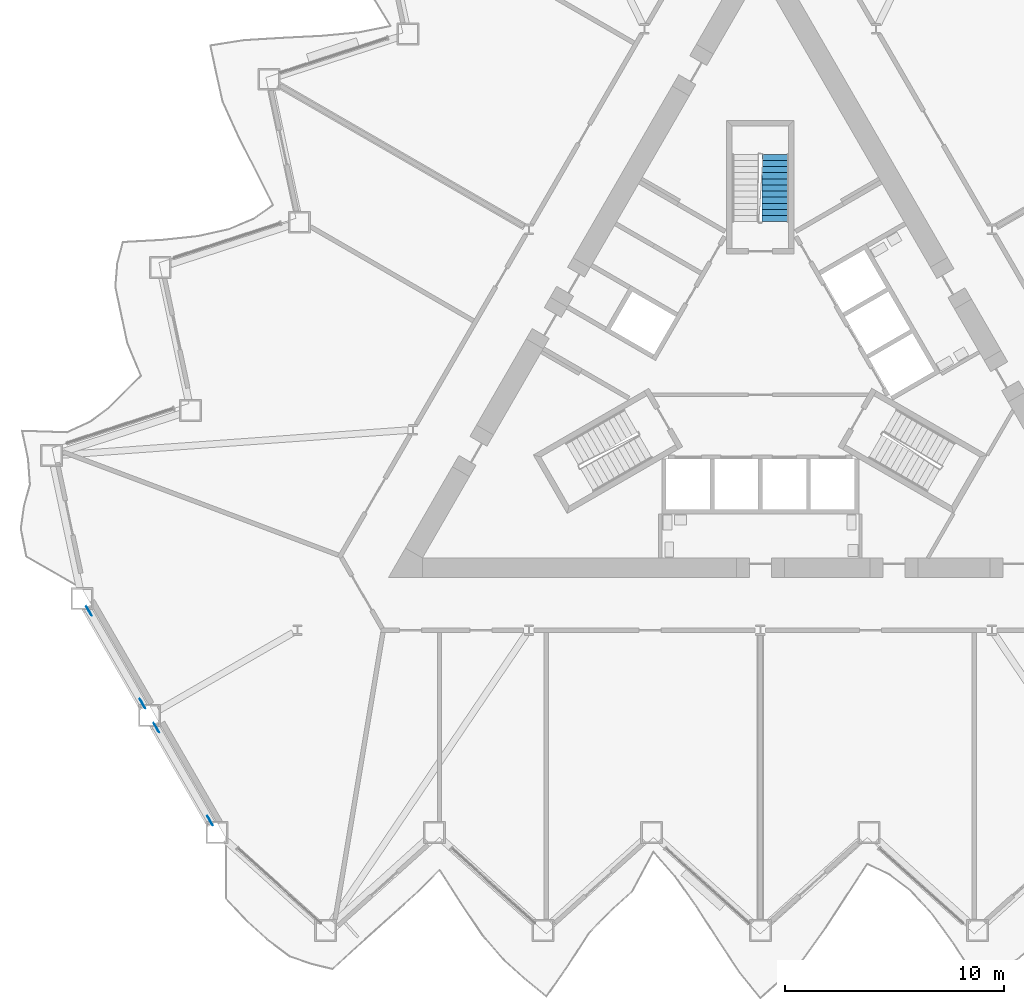
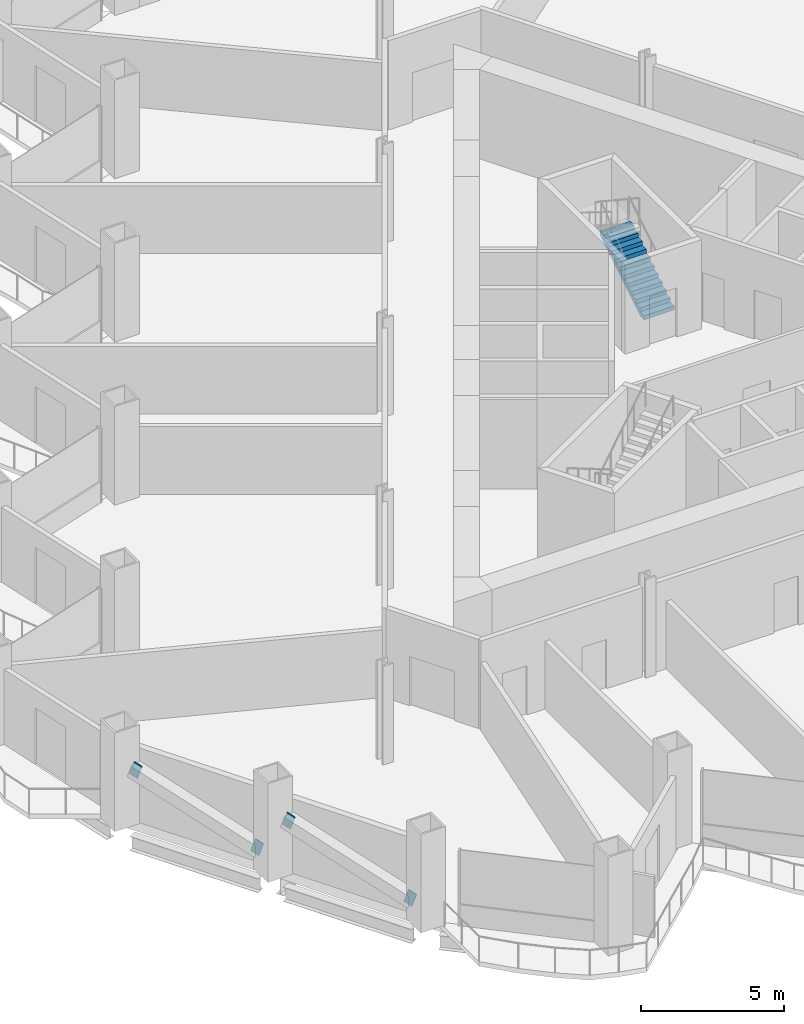
# One storey, part 13 of 20: 4 discrete accessories, 1 stair flight, 1 element without a shape of its own.
"""IFC4 building model written with IfcOpenShell, lengths in metres."""

from ifc_helpers import new_model, si_unit, direction, frame, origin, origin_2d, place, context, subcontext, project, spatial, polyline, rectangle, outline, extrude, material, material_profile, profile_set, type_object, element, aggregate, save


model = new_model("IFC4")

# Units and contexts
model_context = context("Model", 3, precision=1e-05, world=origin(), true_north=direction((0.0, 1.0)))
body_context = subcontext(model_context, "Body", "Model", "MODEL_VIEW")
ifc_project = project(units=[si_unit("LENGTHUNIT", "METRE"), si_unit("AREAUNIT", "SQUARE_METRE"), si_unit("VOLUMEUNIT", "CUBIC_METRE"), si_unit("PLANEANGLEUNIT", "RADIAN"), si_unit("MASSUNIT", "GRAM", prefix="KILO")], contexts=[model_context])

# Site, building, storey
site_placement = place(None, origin())
site = spatial("IfcSite", under=ifc_project, at=site_placement, CompositionType="ELEMENT")
building_placement = place(site_placement, origin())
building = spatial("IfcBuilding", under=site, at=building_placement, Name="Cormorant Prow Tower", CompositionType="ELEMENT")
storey_placement = place(building_placement, frame((0.0, 0.0, 63.60009765625)))
storey = spatial("IfcBuildingStorey", under=building, at=storey_placement, Name="L13", CompositionType="ELEMENT", Elevation=63.60009765625)

# Stair, stair flight
ifc_material_1 = material(Name="Exit stair 24 risers")
stair_type = type_object("IfcStairType", Name="Exit stair 24 risers", PredefinedType="HALF_TURN_STAIR", material=ifc_material_1)
stair_placement = place(storey_placement, origin())
stair = element("IfcStair", 1, at=stair_placement, inside=storey, type_object=stair_type, Name="L13 Exit stair ST3", PredefinedType="HALF_TURN_STAIR")
ifc_material_2 = material(Name="Concrete 5000 psi", Category="concrete")
stair_flight_type = type_object("IfcStairFlightType", Name="Stair flight 1219", PredefinedType="STRAIGHT", material=ifc_material_2)
stair_flight_placement = place(storey_placement, frame((0.6845703125, 6.455810546875, 0.0), z_axis=(0.0, 0.0, 1.0), x_axis=(0.0, 1.0, 0.0)))
stair_flight = element("IfcStairFlight", 2, at=stair_flight_placement, type_object=stair_flight_type, Name="ST3 flight 1", NumberOfRisers=12, NumberOfTreads=11, PredefinedType="STRAIGHT", RiserHeight=0.175, TreadLength=0.28, context=body_context, shape_type="SweptSolid", body=[
    extrude(outline(polyline([(0.0, 0.0), (0.0, 0.175048828125), (0.280029296875, 0.175048828125), (0.280029296875, 0.35009765625), (0.56005859375, 0.35009765625), (0.56005859375, 0.52490234375), (0.840087890625, 0.52490234375), (0.840087890625, 0.699951171875), (1.1201171875, 0.699951171875), (1.1201171875, 0.875), (1.39990234375, 0.875), (1.39990234375, 1.050048828125), (1.679931640625, 1.050048828125), (1.679931640625, 1.22509765625), (1.9599609375, 1.22509765625), (1.9599609375, 1.39990234375), (2.239990234375, 1.39990234375), (2.239990234375, 1.574951171875), (2.52001953125, 1.574951171875), (2.52001953125, 1.75), (2.800048828125, 1.75), (2.800048828125, 1.925048828125), (3.080078125, 1.925048828125), (3.080078125, 2.10009765625), (3.080078125, 1.748291015625), (0.28271484375, 0.0), (0.0, 0.0)])), frame((0.0, 0.609375, 0.0), z_axis=(0.0, -1.0, 0.0), x_axis=(1.0, 0.0, 0.0)), (0.0, 0.0, 1.0), 1.218994140625),
])
aggregate(stair, [stair_flight])

# Discrete accessories
ifc_material_3 = material(Name="Structural steel ASTM A500 Gr C", Category="steel")
ifc_material_profile = material_profile(ifc_material_3, rectangle(XDim=0.031982421875, YDim=0.60791015625, at=origin_2d()), Name="Gusset plate 32x608")
ifc_profile_set = profile_set([ifc_material_profile], Name="Structural steel ASTM A500 Gr C")
discrete_accessory_type = type_object("IfcDiscreteAccessoryType", Name="Gusset plate 32x608", PredefinedType="BRACKET", material=ifc_profile_set)
discrete_accessory_1_placement = place(storey_placement, frame((-28.3173828125, -15.42041015625, 0.859130859375), z_axis=(0.476464602218, -0.823872174553, -0.306946449452), x_axis=(0.865660382551, 0.500631703033, 0.0)))
element("IfcDiscreteAccessory", 3, at=discrete_accessory_1_placement, inside=storey, type_object=discrete_accessory_type, Name="Gusset plate GP1 L13.WSW00.g0", PredefinedType="BRACKET", context=body_context, shape_type="SweptSolid", body=[
    extrude(rectangle(XDim=0.031982421875, YDim=0.60791015625, at=origin_2d()), origin(), (0.0, 0.0, 1.0), 0.349853515625),
])
for number, where, z_axis, x_axis, name in (
    (4, (-30.597900390625, -11.47021484375, 2.32958984375), (-0.475651503409, 0.824369614413, 0.306871937683), (-0.866161185697, -0.499764745047, 0.0), "Gusset plate GP1 L13.WSW00.g1"),
    (5, (-25.232421875, -20.763427734375, 0.859130859375), (0.475651503409, -0.824369614413, -0.306871937683), (0.866161185697, 0.499764745047, 0.0), "Gusset plate GP1 L13.WSW01.g0"),
):
    element("IfcDiscreteAccessory", number, at=place(storey_placement, frame(where, z_axis=z_axis, x_axis=x_axis)), inside=storey, type_object=discrete_accessory_type, Name=name, PredefinedType="BRACKET", context=body_context, shape_type="SweptSolid", body=[
        extrude(rectangle(XDim=0.031982421875, YDim=0.60791015625, at=origin_2d()), origin(), (0.0, 0.0, 1.0), 0.35009765625),
    ])
discrete_accessory_2_placement = place(storey_placement, frame((-27.512939453125, -16.813232421875, 2.32958984375), z_axis=(-0.476464602218, 0.823872174553, 0.306946449452), x_axis=(-0.865660382551, -0.500631703033, 0.0)))
element("IfcDiscreteAccessory", 6, at=discrete_accessory_2_placement, inside=storey, type_object=discrete_accessory_type, Name="Gusset plate GP1 L13.WSW01.g1", PredefinedType="BRACKET", context=body_context, shape_type="SweptSolid", body=[
    extrude(rectangle(XDim=0.031982421875, YDim=0.60791015625, at=origin_2d()), origin(), (0.0, 0.0, 1.0), 0.349853515625),
])

save(model, "model.ifc")
